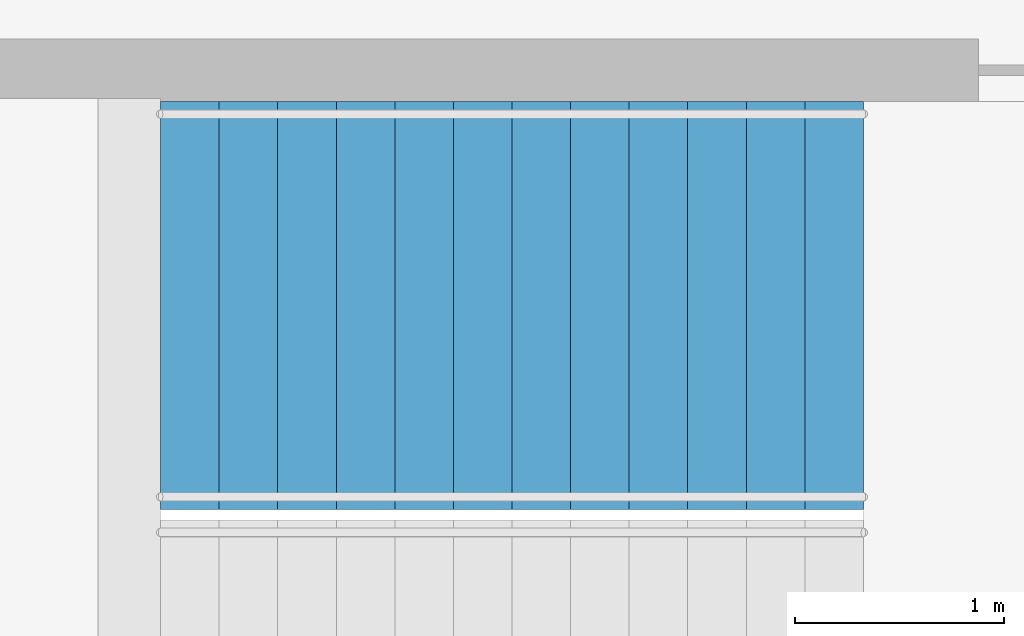
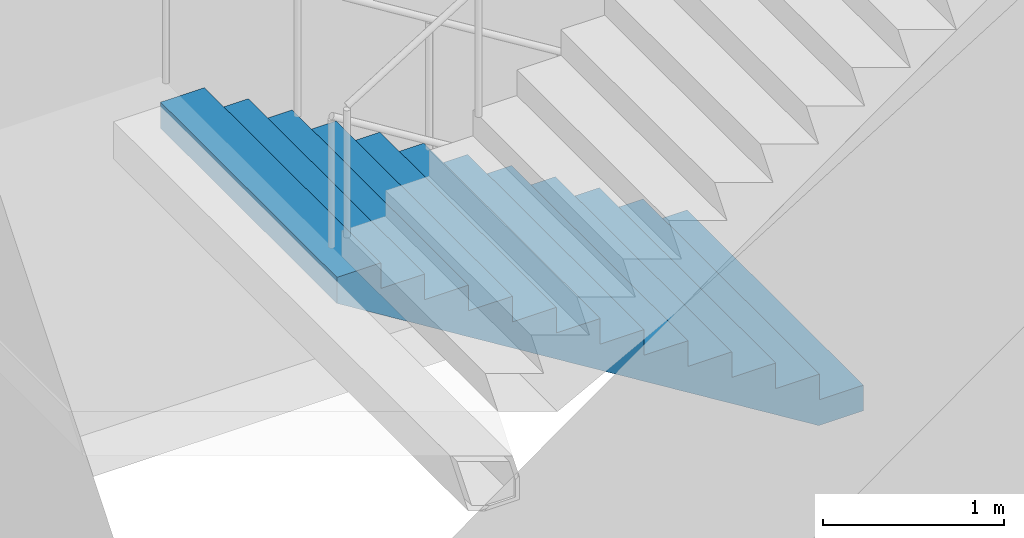
# One storey, part 11 of 16: 1 stair flight, 1 element without a shape of its own.
"""IFC4 building model written with IfcOpenShell, lengths in metres."""

from ifc_helpers import new_model, si_unit, direction, frame, origin, place, context, subcontext, project, spatial, triangles, material, type_object, element, aggregate, save


model = new_model("IFC4")

# Units and contexts
model_context = context("Model", 3, precision=1e-05, world=origin(), true_north=direction((0.0, 1.0)))
body_context = subcontext(model_context, "Body", "Model", "MODEL_VIEW")
ifc_project = project(units=[si_unit("LENGTHUNIT", "METRE"), si_unit("AREAUNIT", "SQUARE_METRE"), si_unit("VOLUMEUNIT", "CUBIC_METRE"), si_unit("PLANEANGLEUNIT", "RADIAN"), si_unit("MASSUNIT", "GRAM", prefix="KILO")], contexts=[model_context])

# Site, building, storey
site_placement = place(None, origin())
site = spatial("IfcSite", under=ifc_project, at=site_placement, CompositionType="ELEMENT")
building_placement = place(site_placement, origin())
building = spatial("IfcBuilding", under=site, at=building_placement, Name="Orbita Commons", CompositionType="ELEMENT")
storey_placement = place(building_placement, frame((0.0, 0.0, -4.5)))
storey = spatial("IfcBuildingStorey", under=building, at=storey_placement, Name="L-01", CompositionType="ELEMENT", Elevation=-4.5)

# Stair, stair flight
ifc_material_1 = material(Name="Precast concrete C40/50", Category="concrete")
stair_type = type_object("IfcStairType", Name="Exit stair S2 2 flights 13 risers 173", PredefinedType="HALF_TURN_STAIR", material=ifc_material_1)
stair_placement = place(storey_placement, origin())
stair = element("IfcStair", 1, at=stair_placement, inside=storey, type_object=stair_type, Name="Exit stair S2 L-01", PredefinedType="HALF_TURN_STAIR")
ifc_material_2 = material(Name="Precast concrete C40/50", Category="concrete")
stair_flight_type = type_object("IfcStairFlightType", Name="Stair flight 13 risers 173 x 280", PredefinedType="STRAIGHT", material=ifc_material_2)
stair_flight_placement = place(storey_placement, frame((63.550048828125, 29.27490234375, 0.0), z_axis=(0.0, 0.0, 1.0), x_axis=(-1.0, 0.0, 0.0)))
stair_flight = element("IfcStairFlight", 2, at=stair_flight_placement, type_object=stair_flight_type, Name="S2 flight 1", NumberOfRisers=13, NumberOfTreads=12, PredefinedType="STRAIGHT", RiserHeight=0.173076923, TreadLength=0.28, context=body_context, shape_type="Tessellation", body=[
    triangles([(0.0, 0.974976, 0.0), (0.0, 0.974976, 0.021635), (0.0, 0.81248, 0.021635), (0.0, 0.81248, 0.0), (0.0, 0.649984, 0.021635), (0.0, 0.649984, 0.0), (0.0, 0.487488, 0.021635), (0.0, 0.487488, 0.0), (0.0, 0.324992, 0.021635), (0.0, 0.324992, 0.0), (0.0, 0.162496, 0.021635), (0.0, 0.162496, 0.0), (0.0, 0.0, 0.021635), (0.0, 0.0, 0.0), (0.0, -0.162496, 0.021635), (0.0, -0.162496, 0.0), (0.0, -0.324992, 0.021635), (0.0, -0.324992, 0.0), (0.0, -0.487488, 0.021635), (0.0, -0.487488, 0.0), (0.0, -0.649984, 0.021635), (0.0, -0.649984, 0.0), (0.0, -0.81248, 0.021635), (0.0, -0.81248, 0.0), (0.0, -0.974976, 0.021635), (0.0, -0.974976, 0.0), (0.0, 0.974976, 0.043269), (0.0, 0.81248, 0.043269), (0.0, 0.649984, 0.043269), (0.0, 0.487488, 0.043269), (0.0, 0.324992, 0.043269), (0.0, 0.162496, 0.043269), (0.0, 0.0, 0.043269), (0.0, -0.162496, 0.043269), (0.0, -0.324992, 0.043269), (0.0, -0.487488, 0.043269), (0.0, -0.649984, 0.043269), (0.0, -0.81248, 0.043269), (0.0, -0.974976, 0.043269), (0.0, 0.974976, 0.064904), (0.0, 0.81248, 0.064904), (0.0, 0.649984, 0.064904), (0.0, 0.487488, 0.064904), (0.0, 0.324992, 0.064904), (0.0, 0.162496, 0.064904), (0.0, 0.0, 0.064904), (0.0, -0.162496, 0.064904), (0.0, -0.324992, 0.064904), (0.0, -0.487488, 0.064904), (0.0, -0.649984, 0.064904), (0.0, -0.81248, 0.064904), (0.0, -0.974976, 0.064904), (0.0, 0.974976, 0.086538), (0.0, 0.81248, 0.086538), (0.0, 0.649984, 0.086538), (0.0, 0.487488, 0.086538), (0.0, 0.324992, 0.086538), (0.0, 0.162496, 0.086538), (0.0, 0.0, 0.086538), (0.0, -0.162496, 0.086538), (0.0, -0.324992, 0.086538), (0.0, -0.487488, 0.086538), (0.0, -0.649984, 0.086538), (0.0, -0.81248, 0.086538), (0.0, -0.974976, 0.086538), (0.0, 0.974976, 0.108173), (0.0, 0.81248, 0.108173), (0.0, 0.649984, 0.108173), (0.0, 0.487488, 0.108173), (0.0, 0.324992, 0.108173), (0.0, 0.162496, 0.108173), (0.0, 0.0, 0.108173), (0.0, -0.162496, 0.108173), (0.0, -0.324992, 0.108173), (0.0, -0.487488, 0.108173), (0.0, -0.649984, 0.108173), (0.0, -0.81248, 0.108173), (0.0, -0.974976, 0.108173), (0.0, 0.974976, 0.129808), (0.0, 0.81248, 0.129808), (0.0, 0.649984, 0.129808), (0.0, 0.487488, 0.129808), (0.0, 0.324992, 0.129808), (0.0, 0.162496, 0.129808), (0.0, 0.0, 0.129808), (0.0, -0.162496, 0.129808), (0.0, -0.324992, 0.129808), (0.0, -0.487488, 0.129808), (0.0, -0.649984, 0.129808), (0.0, -0.81248, 0.129808), (0.0, -0.974976, 0.129808), (0.0, 0.974976, 0.151442), (0.0, 0.81248, 0.151442), (0.0, 0.649984, 0.151442), (0.0, 0.487488, 0.151442), (0.0, 0.324992, 0.151442), (0.0, 0.162496, 0.151442), (0.0, 0.0, 0.151442), (0.0, -0.162496, 0.151442), (0.0, -0.324992, 0.151442), (0.0, -0.487488, 0.151442), (0.0, -0.649984, 0.151442), (0.0, -0.81248, 0.151442), (0.0, -0.974976, 0.151442), (0.0, 0.974976, 0.173077), (0.0, 0.81248, 0.173077), (0.0, 0.649984, 0.173077), (0.0, 0.487488, 0.173077), (0.0, 0.324992, 0.173077), (0.0, 0.162496, 0.173077), (0.0, 0.0, 0.173077), (0.0, -0.162496, 0.173077), (0.0, -0.324992, 0.173077), (0.0, -0.487488, 0.173077), (0.0, -0.649984, 0.173077), (0.0, -0.81248, 0.173077), (0.0, -0.974976, 0.173077), (0.28, 0.974976, 0.173077), (0.28, 0.81248, 0.173077), (0.28, 0.649984, 0.173077), (0.28, 0.487488, 0.173077), (0.28, 0.324992, 0.173077), (0.28, 0.162496, 0.173077), (0.28, 0.0, 0.173077), (0.28, -0.162496, 0.173077), (0.28, -0.324992, 0.173077), (0.28, -0.487488, 0.173077), (0.28, -0.649984, 0.173077), (0.28, -0.81248, 0.173077), (0.28, -0.974976, 0.173077), (0.28, 0.974976, 0.346154), (0.28, 0.81248, 0.346154), (0.28, 0.649984, 0.346154), (0.28, 0.487488, 0.346154), (0.28, 0.324992, 0.346154), (0.28, 0.162496, 0.346154), (0.28, 0.0, 0.346154), (0.28, -0.162496, 0.346154), (0.28, -0.324992, 0.346154), (0.28, -0.487488, 0.346154), (0.28, -0.649984, 0.346154), (0.28, -0.81248, 0.346154), (0.28, -0.974976, 0.346154), (0.56, 0.974976, 0.346154), (0.56, 0.81248, 0.346154), (0.56, 0.649984, 0.346154), (0.56, 0.487488, 0.346154), (0.56, 0.324992, 0.346154), (0.56, 0.162496, 0.346154), (0.56, 0.0, 0.346154), (0.56, -0.162496, 0.346154), (0.56, -0.324992, 0.346154), (0.56, -0.487488, 0.346154), (0.56, -0.649984, 0.346154), (0.56, -0.81248, 0.346154), (0.56, -0.974976, 0.346154), (0.56, 0.974976, 0.519231), (0.56, 0.81248, 0.519231), (0.56, 0.649984, 0.519231), (0.56, 0.487488, 0.519231), (0.56, 0.324992, 0.519231), (0.56, 0.162496, 0.519231), (0.56, 0.0, 0.519231), (0.56, -0.162496, 0.519231), (0.56, -0.324992, 0.519231), (0.56, -0.487488, 0.519231), (0.56, -0.649984, 0.519231), (0.56, -0.81248, 0.519231), (0.56, -0.974976, 0.519231), (0.84, 0.974976, 0.519231), (0.84, 0.81248, 0.519231), (0.84, 0.649984, 0.519231), (0.84, 0.487488, 0.519231), (0.84, 0.324992, 0.519231), (0.84, 0.162496, 0.519231), (0.84, 0.0, 0.519231), (0.84, -0.162496, 0.519231), (0.84, -0.324992, 0.519231), (0.84, -0.487488, 0.519231), (0.84, -0.649984, 0.519231), (0.84, -0.81248, 0.519231), (0.84, -0.974976, 0.519231), (0.84, 0.974976, 0.692308), (0.84, 0.81248, 0.692308), (0.84, 0.649984, 0.692308), (0.84, 0.487488, 0.692308), (0.84, 0.324992, 0.692308), (0.84, 0.162496, 0.692308), (0.84, 0.0, 0.692308), (0.84, -0.162496, 0.692308), (0.84, -0.324992, 0.692308), (0.84, -0.487488, 0.692308), (0.84, -0.649984, 0.692308), (0.84, -0.81248, 0.692308), (0.84, -0.974976, 0.692308), (1.12, 0.974976, 0.692308), (1.12, 0.81248, 0.692308), (1.12, 0.649984, 0.692308), (1.12, 0.487488, 0.692308), (1.12, 0.324992, 0.692308), (1.12, 0.162496, 0.692308), (1.12, 0.0, 0.692308), (1.12, -0.162496, 0.692308), (1.12, -0.324992, 0.692308), (1.12, -0.487488, 0.692308), (1.12, -0.649984, 0.692308), (1.12, -0.81248, 0.692308), (1.12, -0.974976, 0.692308), (1.12, 0.974976, 0.865385), (1.12, 0.81248, 0.865385), (1.12, 0.649984, 0.865385), (1.12, 0.487488, 0.865385), (1.12, 0.324992, 0.865385), (1.12, 0.162496, 0.865385), (1.12, 0.0, 0.865385), (1.12, -0.162496, 0.865385), (1.12, -0.324992, 0.865385), (1.12, -0.487488, 0.865385), (1.12, -0.649984, 0.865385), (1.12, -0.81248, 0.865385), (1.12, -0.974976, 0.865385), (1.4, 0.974976, 0.865385), (1.4, 0.81248, 0.865385), (1.4, 0.649984, 0.865385), (1.4, 0.487488, 0.865385), (1.4, 0.324992, 0.865385), (1.4, 0.162496, 0.865385), (1.4, 0.0, 0.865385), (1.4, -0.162496, 0.865385), (1.4, -0.324992, 0.865385), (1.4, -0.487488, 0.865385), (1.4, -0.649984, 0.865385), (1.4, -0.81248, 0.865385), (1.4, -0.974976, 0.865385), (1.4, 0.974976, 1.038462), (1.4, 0.81248, 1.038462), (1.4, 0.649984, 1.038462), (1.4, 0.487488, 1.038462), (1.4, 0.324992, 1.038462), (1.4, 0.162496, 1.038462), (1.4, 0.0, 1.038462), (1.4, -0.162496, 1.038462), (1.4, -0.324992, 1.038462), (1.4, -0.487488, 1.038462), (1.4, -0.649984, 1.038462), (1.4, -0.81248, 1.038462), (1.4, -0.974976, 1.038462), (1.68, 0.974976, 1.038462), (1.68, 0.81248, 1.038462), (1.68, 0.649984, 1.038462), (1.68, 0.487488, 1.038462), (1.68, 0.324992, 1.038462), (1.68, 0.162496, 1.038462), (1.68, 0.0, 1.038462), (1.68, -0.162496, 1.038462), (1.68, -0.324992, 1.038462), (1.68, -0.487488, 1.038462), (1.68, -0.649984, 1.038462), (1.68, -0.81248, 1.038462), (1.68, -0.974976, 1.038462), (1.68, 0.974976, 1.211538), (1.68, 0.81248, 1.211538), (1.68, 0.649984, 1.211538), (1.68, 0.487488, 1.211538), (1.68, 0.324992, 1.211538), (1.68, 0.162496, 1.211538), (1.68, 0.0, 1.211538), (1.68, -0.162496, 1.211538), (1.68, -0.324992, 1.211538), (1.68, -0.487488, 1.211538), (1.68, -0.649984, 1.211538), (1.68, -0.81248, 1.211538), (1.68, -0.974976, 1.211538), (1.96, 0.974976, 1.211538), (1.96, 0.81248, 1.211538), (1.96, 0.649984, 1.211538), (1.96, 0.487488, 1.211538), (1.96, 0.324992, 1.211538), (1.96, 0.162496, 1.211538), (1.96, 0.0, 1.211538), (1.96, -0.162496, 1.211538), (1.96, -0.324992, 1.211538), (1.96, -0.487488, 1.211538), (1.96, -0.649984, 1.211538), (1.96, -0.81248, 1.211538), (1.96, -0.974976, 1.211538), (1.96, 0.974976, 1.384615), (1.96, 0.81248, 1.384615), (1.96, 0.649984, 1.384615), (1.96, 0.487488, 1.384615), (1.96, 0.324992, 1.384615), (1.96, 0.162496, 1.384615), (1.96, 0.0, 1.384615), (1.96, -0.162496, 1.384615), (1.96, -0.324992, 1.384615), (1.96, -0.487488, 1.384615), (1.96, -0.649984, 1.384615), (1.96, -0.81248, 1.384615), (1.96, -0.974976, 1.384615), (2.24, 0.974976, 1.384615), (2.24, 0.81248, 1.384615), (2.24, 0.649984, 1.384615), (2.24, 0.487488, 1.384615), (2.24, 0.324992, 1.384615), (2.24, 0.162496, 1.384615), (2.24, 0.0, 1.384615), (2.24, -0.162496, 1.384615), (2.24, -0.324992, 1.384615), (2.24, -0.487488, 1.384615), (2.24, -0.649984, 1.384615), (2.24, -0.81248, 1.384615), (2.24, -0.974976, 1.384615), (2.24, 0.974976, 1.557692), (2.24, 0.81248, 1.557692), (2.24, 0.649984, 1.557692), (2.24, 0.487488, 1.557692), (2.24, 0.324992, 1.557692), (2.24, 0.162496, 1.557692), (2.24, 0.0, 1.557692), (2.24, -0.162496, 1.557692), (2.24, -0.324992, 1.557692), (2.24, -0.487488, 1.557692), (2.24, -0.649984, 1.557692), (2.24, -0.81248, 1.557692), (2.24, -0.974976, 1.557692), (2.52, 0.974976, 1.557692), (2.52, 0.81248, 1.557692), (2.52, 0.649984, 1.557692), (2.52, 0.487488, 1.557692), (2.52, 0.324992, 1.557692), (2.52, 0.162496, 1.557692), (2.52, 0.0, 1.557692), (2.52, -0.162496, 1.557692), (2.52, -0.324992, 1.557692), (2.52, -0.487488, 1.557692), (2.52, -0.649984, 1.557692), (2.52, -0.81248, 1.557692), (2.52, -0.974976, 1.557692), (2.52, 0.974976, 1.730769), (2.52, 0.81248, 1.730769), (2.52, 0.649984, 1.730769), (2.52, 0.487488, 1.730769), (2.52, 0.324992, 1.730769), (2.52, 0.162496, 1.730769), (2.52, 0.0, 1.730769), (2.52, -0.162496, 1.730769), (2.52, -0.324992, 1.730769), (2.52, -0.487488, 1.730769), (2.52, -0.649984, 1.730769), (2.52, -0.81248, 1.730769), (2.52, -0.974976, 1.730769), (2.8, 0.974976, 1.730769), (2.8, 0.81248, 1.730769), (2.8, 0.649984, 1.730769), (2.8, 0.487488, 1.730769), (2.8, 0.324992, 1.730769), (2.8, 0.162496, 1.730769), (2.8, 0.0, 1.730769), (2.8, -0.162496, 1.730769), (2.8, -0.324992, 1.730769), (2.8, -0.487488, 1.730769), (2.8, -0.649984, 1.730769), (2.8, -0.81248, 1.730769), (2.8, -0.974976, 1.730769), (2.8, 0.974976, 1.903846), (2.8, 0.81248, 1.903846), (2.8, 0.649984, 1.903846), (2.8, 0.487488, 1.903846), (2.8, 0.324992, 1.903846), (2.8, 0.162496, 1.903846), (2.8, 0.0, 1.903846), (2.8, -0.162496, 1.903846), (2.8, -0.324992, 1.903846), (2.8, -0.487488, 1.903846), (2.8, -0.649984, 1.903846), (2.8, -0.81248, 1.903846), (2.8, -0.974976, 1.903846), (3.08, 0.974976, 1.903846), (3.08, 0.81248, 1.903846), (3.08, 0.649984, 1.903846), (3.08, 0.487488, 1.903846), (3.08, 0.324992, 1.903846), (3.08, 0.162496, 1.903846), (3.08, 0.0, 1.903846), (3.08, -0.162496, 1.903846), (3.08, -0.324992, 1.903846), (3.08, -0.487488, 1.903846), (3.08, -0.649984, 1.903846), (3.08, -0.81248, 1.903846), (3.08, -0.974976, 1.903846), (3.08, 0.974976, 2.076923), (3.08, 0.81248, 2.076923), (3.08, 0.649984, 2.076923), (3.08, 0.487488, 2.076923), (3.08, 0.324992, 2.076923), (3.08, 0.162496, 2.076923), (3.08, 0.0, 2.076923), (3.08, -0.162496, 2.076923), (3.08, -0.324992, 2.076923), (3.08, -0.487488, 2.076923), (3.08, -0.649984, 2.076923), (3.08, -0.81248, 2.076923), (3.08, -0.974976, 2.076923), (3.36, 0.974976, 2.076923), (3.36, 0.81248, 2.076923), (3.36, 0.649984, 2.076923), (3.36, 0.487488, 2.076923), (3.36, 0.324992, 2.076923), (3.36, 0.162496, 2.076923), (3.36, 0.0, 2.076923), (3.36, -0.162496, 2.076923), (3.36, -0.324992, 2.076923), (3.36, -0.487488, 2.076923), (3.36, -0.649984, 2.076923), (3.36, -0.81248, 2.076923), (3.36, -0.974976, 2.076923), (3.36, 0.974976, 2.054895), (3.36, 0.81248, 2.054895), (3.36, 0.649984, 2.054895), (3.36, 0.487488, 2.054895), (3.36, 0.324992, 2.054895), (3.36, 0.162496, 2.054895), (3.36, 0.0, 2.054895), (3.36, -0.162496, 2.054895), (3.36, -0.324992, 2.054895), (3.36, -0.487488, 2.054895), (3.36, -0.649984, 2.054895), (3.36, -0.81248, 2.054895), (3.36, -0.974976, 2.054895), (3.36, 0.974976, 2.032866), (3.36, 0.81248, 2.032866), (3.36, 0.649984, 2.032866), (3.36, 0.487488, 2.032866), (3.36, 0.324992, 2.032866), (3.36, 0.162496, 2.032866), (3.36, 0.0, 2.032866), (3.36, -0.162496, 2.032866), (3.36, -0.324992, 2.032866), (3.36, -0.487488, 2.032866), (3.36, -0.649984, 2.032866), (3.36, -0.81248, 2.032866), (3.36, -0.974976, 2.032866), (3.36, 0.974976, 2.010837), (3.36, 0.81248, 2.010837), (3.36, 0.649984, 2.010837), (3.36, 0.487488, 2.010837), (3.36, 0.324992, 2.010837), (3.36, 0.162496, 2.010837), (3.36, 0.0, 2.010837), (3.36, -0.162496, 2.010837), (3.36, -0.324992, 2.010837), (3.36, -0.487488, 2.010837), (3.36, -0.649984, 2.010837), (3.36, -0.81248, 2.010837), (3.36, -0.974976, 2.010837), (3.36, 0.974976, 1.988809), (3.36, 0.81248, 1.988809), (3.36, 0.649984, 1.988809), (3.36, 0.487488, 1.988809), (3.36, 0.324992, 1.988809), (3.36, 0.162496, 1.988809), (3.36, 0.0, 1.988809), (3.36, -0.162496, 1.988809), (3.36, -0.324992, 1.988809), (3.36, -0.487488, 1.988809), (3.36, -0.649984, 1.988809), (3.36, -0.81248, 1.988809), (3.36, -0.974976, 1.988809), (3.36, 0.974976, 1.96678), (3.36, 0.81248, 1.96678), (3.36, 0.649984, 1.96678), (3.36, 0.487488, 1.96678), (3.36, 0.324992, 1.96678), (3.36, 0.162496, 1.96678), (3.36, 0.0, 1.96678), (3.36, -0.162496, 1.96678), (3.36, -0.324992, 1.96678), (3.36, -0.487488, 1.96678), (3.36, -0.649984, 1.96678), (3.36, -0.81248, 1.96678), (3.36, -0.974976, 1.96678), (3.36, 0.974976, 1.944752), (3.36, 0.81248, 1.944752), (3.36, 0.649984, 1.944752), (3.36, 0.487488, 1.944752), (3.36, 0.324992, 1.944752), (3.36, 0.162496, 1.944752), (3.36, 0.0, 1.944752), (3.36, -0.162496, 1.944752), (3.36, -0.324992, 1.944752), (3.36, -0.487488, 1.944752), (3.36, -0.649984, 1.944752), (3.36, -0.81248, 1.944752), (3.36, -0.974976, 1.944752), (3.36, 0.974976, 1.922723), (3.36, 0.81248, 1.922723), (3.36, 0.649984, 1.922723), (3.36, 0.487488, 1.922723), (3.36, 0.324992, 1.922723), (3.36, 0.162496, 1.922723), (3.36, 0.0, 1.922723), (3.36, -0.162496, 1.922723), (3.36, -0.324992, 1.922723), (3.36, -0.487488, 1.922723), (3.36, -0.649984, 1.922723), (3.36, -0.81248, 1.922723), (3.36, -0.974976, 1.922723), (3.36, 0.974976, 1.900695), (3.36, 0.81248, 1.900695), (3.36, 0.649984, 1.900695), (3.36, 0.487488, 1.900695), (3.36, 0.324992, 1.900695), (3.36, 0.162496, 1.900695), (3.36, 0.0, 1.900695), (3.36, -0.162496, 1.900695), (3.36, -0.324992, 1.900695), (3.36, -0.487488, 1.900695), (3.36, -0.649984, 1.900695), (3.36, -0.81248, 1.900695), (3.36, -0.974976, 1.900695), (0.285099, 0.974976, 0.0), (0.285099, 0.81248, 0.0), (0.285099, 0.649984, 0.0), (0.285099, 0.487488, 0.0), (0.285099, 0.324992, 0.0), (0.285099, 0.162496, 0.0), (0.285099, 0.0, 0.0), (0.285099, -0.162496, 0.0), (0.285099, -0.324992, 0.0), (0.285099, -0.487488, 0.0), (0.285099, -0.649984, 0.0), (0.285099, -0.81248, 0.0), (0.285099, -0.974976, 0.0)], [[3, 2, 1], [4, 3, 1], [5, 3, 4], [6, 5, 4], [7, 5, 6], [8, 7, 6], [9, 7, 8], [10, 9, 8], [11, 9, 10], [12, 11, 10], [13, 11, 12], [14, 13, 12], [15, 13, 14], [16, 15, 14], [17, 15, 16], [18, 17, 16], [19, 17, 18], [20, 19, 18], [21, 19, 20], [22, 21, 20], [23, 21, 22], [24, 23, 22], [25, 23, 24], [26, 25, 24], [28, 27, 2], [3, 28, 2], [29, 28, 3], [5, 29, 3], [30, 29, 5], [7, 30, 5], [31, 30, 7], [9, 31, 7], [32, 31, 9], [11, 32, 9], [33, 32, 11], [13, 33, 11], [34, 33, 13], [15, 34, 13], [35, 34, 15], [17, 35, 15], [36, 35, 17], [19, 36, 17], [37, 36, 19], [21, 37, 19], [38, 37, 21], [23, 38, 21], [39, 38, 23], [25, 39, 23], [41, 40, 27], [28, 41, 27], [42, 41, 28], [29, 42, 28], [43, 42, 29], [30, 43, 29], [44, 43, 30], [31, 44, 30], [45, 44, 31], [32, 45, 31], [46, 45, 32], [33, 46, 32], [47, 46, 33], [34, 47, 33], [48, 47, 34], [35, 48, 34], [49, 48, 35], [36, 49, 35], [50, 49, 36], [37, 50, 36], [51, 50, 37], [38, 51, 37], [52, 51, 38], [39, 52, 38], [54, 53, 40], [41, 54, 40], [55, 54, 41], [42, 55, 41], [56, 55, 42], [43, 56, 42], [57, 56, 43], [44, 57, 43], [58, 57, 44], [45, 58, 44], [59, 58, 45], [46, 59, 45], [60, 59, 46], [47, 60, 46], [61, 60, 47], [48, 61, 47], [62, 61, 48], [49, 62, 48], [63, 62, 49], [50, 63, 49], [64, 63, 50], [51, 64, 50], [65, 64, 51], [52, 65, 51], [67, 66, 53], [54, 67, 53], [68, 67, 54], [55, 68, 54], [69, 68, 55], [56, 69, 55], [70, 69, 56], [57, 70, 56], [71, 70, 57], [58, 71, 57], [72, 71, 58], [59, 72, 58], [73, 72, 59], [60, 73, 59], [74, 73, 60], [61, 74, 60], [75, 74, 61], [62, 75, 61], [76, 75, 62], [63, 76, 62], [77, 76, 63], [64, 77, 63], [78, 77, 64], [65, 78, 64], [80, 79, 66], [67, 80, 66], [81, 80, 67], [68, 81, 67], [82, 81, 68], [69, 82, 68], [83, 82, 69], [70, 83, 69], [84, 83, 70], [71, 84, 70], [85, 84, 71], [72, 85, 71], [86, 85, 72], [73, 86, 72], [87, 86, 73], [74, 87, 73], [88, 87, 74], [75, 88, 74], [89, 88, 75], [76, 89, 75], [90, 89, 76], [77, 90, 76], [91, 90, 77], [78, 91, 77], [93, 92, 79], [80, 93, 79], [94, 93, 80], [81, 94, 80], [95, 94, 81], [82, 95, 81], [96, 95, 82], [83, 96, 82], [97, 96, 83], [84, 97, 83], [98, 97, 84], [85, 98, 84], [99, 98, 85], [86, 99, 85], [100, 99, 86], [87, 100, 86], [101, 100, 87], [88, 101, 87], [102, 101, 88], [89, 102, 88], [103, 102, 89], [90, 103, 89], [104, 103, 90], [91, 104, 90], [106, 105, 92], [93, 106, 92], [107, 106, 93], [94, 107, 93], [108, 107, 94], [95, 108, 94], [109, 108, 95], [96, 109, 95], [110, 109, 96], [97, 110, 96], [111, 110, 97], [98, 111, 97], [112, 111, 98], [99, 112, 98], [113, 112, 99], [100, 113, 99], [114, 113, 100], [101, 114, 100], [115, 114, 101], [102, 115, 101], [116, 115, 102], [103, 116, 102], [117, 116, 103], [104, 117, 103], [119, 118, 105], [106, 119, 105], [120, 119, 106], [107, 120, 106], [121, 120, 107], [108, 121, 107], [122, 121, 108], [109, 122, 108], [123, 122, 109], [110, 123, 109], [124, 123, 110], [111, 124, 110], [125, 124, 111], [112, 125, 111], [126, 125, 112], [113, 126, 112], [127, 126, 113], [114, 127, 113], [128, 127, 114], [115, 128, 114], [129, 128, 115], [116, 129, 115], [130, 129, 116], [117, 130, 116], [132, 131, 118], [119, 132, 118], [133, 132, 119], [120, 133, 119], [134, 133, 120], [121, 134, 120], [135, 134, 121], [122, 135, 121], [136, 135, 122], [123, 136, 122], [137, 136, 123], [124, 137, 123], [138, 137, 124], [125, 138, 124], [139, 138, 125], [126, 139, 125], [140, 139, 126], [127, 140, 126], [141, 140, 127], [128, 141, 127], [142, 141, 128], [129, 142, 128], [143, 142, 129], [130, 143, 129], [145, 144, 131], [132, 145, 131], [146, 145, 132], [133, 146, 132], [147, 146, 133], [134, 147, 133], [148, 147, 134], [135, 148, 134], [149, 148, 135], [136, 149, 135], [150, 149, 136], [137, 150, 136], [151, 150, 137], [138, 151, 137], [152, 151, 138], [139, 152, 138], [153, 152, 139], [140, 153, 139], [154, 153, 140], [141, 154, 140], [155, 154, 141], [142, 155, 141], [156, 155, 142], [143, 156, 142], [158, 157, 144], [145, 158, 144], [159, 158, 145], [146, 159, 145], [160, 159, 146], [147, 160, 146], [161, 160, 147], [148, 161, 147], [162, 161, 148], [149, 162, 148], [163, 162, 149], [150, 163, 149], [164, 163, 150], [151, 164, 150], [165, 164, 151], [152, 165, 151], [166, 165, 152], [153, 166, 152], [167, 166, 153], [154, 167, 153], [168, 167, 154], [155, 168, 154], [169, 168, 155], [156, 169, 155], [171, 170, 157], [158, 171, 157], [172, 171, 158], [159, 172, 158], [173, 172, 159], [160, 173, 159], [174, 173, 160], [161, 174, 160], [175, 174, 161], [162, 175, 161], [176, 175, 162], [163, 176, 162], [177, 176, 163], [164, 177, 163], [178, 177, 164], [165, 178, 164], [179, 178, 165], [166, 179, 165], [180, 179, 166], [167, 180, 166], [181, 180, 167], [168, 181, 167], [182, 181, 168], [169, 182, 168], [184, 183, 170], [171, 184, 170], [185, 184, 171], [172, 185, 171], [186, 185, 172], [173, 186, 172], [187, 186, 173], [174, 187, 173], [188, 187, 174], [175, 188, 174], [189, 188, 175], [176, 189, 175], [190, 189, 176], [177, 190, 176], [191, 190, 177], [178, 191, 177], [192, 191, 178], [179, 192, 178], [193, 192, 179], [180, 193, 179], [194, 193, 180], [181, 194, 180], [195, 194, 181], [182, 195, 181], [197, 196, 183], [184, 197, 183], [198, 197, 184], [185, 198, 184], [199, 198, 185], [186, 199, 185], [200, 199, 186], [187, 200, 186], [201, 200, 187], [188, 201, 187], [202, 201, 188], [189, 202, 188], [203, 202, 189], [190, 203, 189], [204, 203, 190], [191, 204, 190], [205, 204, 191], [192, 205, 191], [206, 205, 192], [193, 206, 192], [207, 206, 193], [194, 207, 193], [208, 207, 194], [195, 208, 194], [210, 209, 196], [197, 210, 196], [211, 210, 197], [198, 211, 197], [212, 211, 198], [199, 212, 198], [213, 212, 199], [200, 213, 199], [214, 213, 200], [201, 214, 200], [215, 214, 201], [202, 215, 201], [216, 215, 202], [203, 216, 202], [217, 216, 203], [204, 217, 203], [218, 217, 204], [205, 218, 204], [219, 218, 205], [206, 219, 205], [220, 219, 206], [207, 220, 206], [221, 220, 207], [208, 221, 207], [223, 222, 209], [210, 223, 209], [224, 223, 210], [211, 224, 210], [225, 224, 211], [212, 225, 211], [226, 225, 212], [213, 226, 212], [227, 226, 213], [214, 227, 213], [228, 227, 214], [215, 228, 214], [229, 228, 215], [216, 229, 215], [230, 229, 216], [217, 230, 216], [231, 230, 217], [218, 231, 217], [232, 231, 218], [219, 232, 218], [233, 232, 219], [220, 233, 219], [234, 233, 220], [221, 234, 220], [236, 235, 222], [223, 236, 222], [237, 236, 223], [224, 237, 223], [238, 237, 224], [225, 238, 224], [239, 238, 225], [226, 239, 225], [240, 239, 226], [227, 240, 226], [241, 240, 227], [228, 241, 227], [242, 241, 228], [229, 242, 228], [243, 242, 229], [230, 243, 229], [244, 243, 230], [231, 244, 230], [245, 244, 231], [232, 245, 231], [246, 245, 232], [233, 246, 232], [247, 246, 233], [234, 247, 233], [249, 248, 235], [236, 249, 235], [250, 249, 236], [237, 250, 236], [251, 250, 237], [238, 251, 237], [252, 251, 238], [239, 252, 238], [253, 252, 239], [240, 253, 239], [254, 253, 240], [241, 254, 240], [255, 254, 241], [242, 255, 241], [256, 255, 242], [243, 256, 242], [257, 256, 243], [244, 257, 243], [258, 257, 244], [245, 258, 244], [259, 258, 245], [246, 259, 245], [260, 259, 246], [247, 260, 246], [262, 261, 248], [249, 262, 248], [263, 262, 249], [250, 263, 249], [264, 263, 250], [251, 264, 250], [265, 264, 251], [252, 265, 251], [266, 265, 252], [253, 266, 252], [267, 266, 253], [254, 267, 253], [268, 267, 254], [255, 268, 254], [269, 268, 255], [256, 269, 255], [270, 269, 256], [257, 270, 256], [271, 270, 257], [258, 271, 257], [272, 271, 258], [259, 272, 258], [273, 272, 259], [260, 273, 259], [275, 274, 261], [262, 275, 261], [276, 275, 262], [263, 276, 262], [277, 276, 263], [264, 277, 263], [278, 277, 264], [265, 278, 264], [279, 278, 265], [266, 279, 265], [280, 279, 266], [267, 280, 266], [281, 280, 267], [268, 281, 267], [282, 281, 268], [269, 282, 268], [283, 282, 269], [270, 283, 269], [284, 283, 270], [271, 284, 270], [285, 284, 271], [272, 285, 271], [286, 285, 272], [273, 286, 272], [288, 287, 274], [275, 288, 274], [289, 288, 275], [276, 289, 275], [290, 289, 276], [277, 290, 276], [291, 290, 277], [278, 291, 277], [292, 291, 278], [279, 292, 278], [293, 292, 279], [280, 293, 279], [294, 293, 280], [281, 294, 280], [295, 294, 281], [282, 295, 281], [296, 295, 282], [283, 296, 282], [297, 296, 283], [284, 297, 283], [298, 297, 284], [285, 298, 284], [299, 298, 285], [286, 299, 285], [301, 300, 287], [288, 301, 287], [302, 301, 288], [289, 302, 288], [303, 302, 289], [290, 303, 289], [304, 303, 290], [291, 304, 290], [305, 304, 291], [292, 305, 291], [306, 305, 292], [293, 306, 292], [307, 306, 293], [294, 307, 293], [308, 307, 294], [295, 308, 294], [309, 308, 295], [296, 309, 295], [310, 309, 296], [297, 310, 296], [311, 310, 297], [298, 311, 297], [312, 311, 298], [299, 312, 298], [314, 313, 300], [301, 314, 300], [315, 314, 301], [302, 315, 301], [316, 315, 302], [303, 316, 302], [317, 316, 303], [304, 317, 303], [318, 317, 304], [305, 318, 304], [319, 318, 305], [306, 319, 305], [320, 319, 306], [307, 320, 306], [321, 320, 307], [308, 321, 307], [322, 321, 308], [309, 322, 308], [323, 322, 309], [310, 323, 309], [324, 323, 310], [311, 324, 310], [325, 324, 311], [312, 325, 311], [327, 326, 313], [314, 327, 313], [328, 327, 314], [315, 328, 314], [329, 328, 315], [316, 329, 315], [330, 329, 316], [317, 330, 316], [331, 330, 317], [318, 331, 317], [332, 331, 318], [319, 332, 318], [333, 332, 319], [320, 333, 319], [334, 333, 320], [321, 334, 320], [335, 334, 321], [322, 335, 321], [336, 335, 322], [323, 336, 322], [337, 336, 323], [324, 337, 323], [338, 337, 324], [325, 338, 324], [340, 339, 326], [327, 340, 326], [341, 340, 327], [328, 341, 327], [342, 341, 328], [329, 342, 328], [343, 342, 329], [330, 343, 329], [344, 343, 330], [331, 344, 330], [345, 344, 331], [332, 345, 331], [346, 345, 332], [333, 346, 332], [347, 346, 333], [334, 347, 333], [348, 347, 334], [335, 348, 334], [349, 348, 335], [336, 349, 335], [350, 349, 336], [337, 350, 336], [351, 350, 337], [338, 351, 337], [353, 352, 339], [340, 353, 339], [354, 353, 340], [341, 354, 340], [355, 354, 341], [342, 355, 341], [356, 355, 342], [343, 356, 342], [357, 356, 343], [344, 357, 343], [358, 357, 344], [345, 358, 344], [359, 358, 345], [346, 359, 345], [360, 359, 346], [347, 360, 346], [361, 360, 347], [348, 361, 347], [362, 361, 348], [349, 362, 348], [363, 362, 349], [350, 363, 349], [364, 363, 350], [351, 364, 350], [366, 365, 352], [353, 366, 352], [367, 366, 353], [354, 367, 353], [368, 367, 354], [355, 368, 354], [369, 368, 355], [356, 369, 355], [370, 369, 356], [357, 370, 356], [371, 370, 357], [358, 371, 357], [372, 371, 358], [359, 372, 358], [373, 372, 359], [360, 373, 359], [374, 373, 360], [361, 374, 360], [375, 374, 361], [362, 375, 361], [376, 375, 362], [363, 376, 362], [377, 376, 363], [364, 377, 363], [379, 378, 365], [366, 379, 365], [380, 379, 366], [367, 380, 366], [381, 380, 367], [368, 381, 367], [382, 381, 368], [369, 382, 368], [383, 382, 369], [370, 383, 369], [384, 383, 370], [371, 384, 370], [385, 384, 371], [372, 385, 371], [386, 385, 372], [373, 386, 372], [387, 386, 373], [374, 387, 373], [388, 387, 374], [375, 388, 374], [389, 388, 375], [376, 389, 375], [390, 389, 376], [377, 390, 376], [392, 391, 378], [379, 392, 378], [393, 392, 379], [380, 393, 379], [394, 393, 380], [381, 394, 380], [395, 394, 381], [382, 395, 381], [396, 395, 382], [383, 396, 382], [397, 396, 383], [384, 397, 383], [398, 397, 384], [385, 398, 384], [399, 398, 385], [386, 399, 385], [400, 399, 386], [387, 400, 386], [401, 400, 387], [388, 401, 387], [402, 401, 388], [389, 402, 388], [403, 402, 389], [390, 403, 389], [405, 404, 391], [392, 405, 391], [406, 405, 392], [393, 406, 392], [407, 406, 393], [394, 407, 393], [408, 407, 394], [395, 408, 394], [409, 408, 395], [396, 409, 395], [410, 409, 396], [397, 410, 396], [411, 410, 397], [398, 411, 397], [412, 411, 398], [399, 412, 398], [413, 412, 399], [400, 413, 399], [414, 413, 400], [401, 414, 400], [415, 414, 401], [402, 415, 401], [416, 415, 402], [403, 416, 402], [418, 417, 404], [405, 418, 404], [419, 418, 405], [406, 419, 405], [420, 419, 406], [407, 420, 406], [421, 420, 407], [408, 421, 407], [422, 421, 408], [409, 422, 408], [423, 422, 409], [410, 423, 409], [424, 423, 410], [411, 424, 410], [425, 424, 411], [412, 425, 411], [426, 425, 412], [413, 426, 412], [427, 426, 413], [414, 427, 413], [428, 427, 414], [415, 428, 414], [429, 428, 415], [416, 429, 415], [431, 430, 417], [418, 431, 417], [432, 431, 418], [419, 432, 418], [433, 432, 419], [420, 433, 419], [434, 433, 420], [421, 434, 420], [435, 434, 421], [422, 435, 421], [436, 435, 422], [423, 436, 422], [437, 436, 423], [424, 437, 423], [438, 437, 424], [425, 438, 424], [439, 438, 425], [426, 439, 425], [440, 439, 426], [427, 440, 426], [441, 440, 427], [428, 441, 427], [442, 441, 428], [429, 442, 428], [444, 443, 430], [431, 444, 430], [445, 444, 431], [432, 445, 431], [446, 445, 432], [433, 446, 432], [447, 446, 433], [434, 447, 433], [448, 447, 434], [435, 448, 434], [449, 448, 435], [436, 449, 435], [450, 449, 436], [437, 450, 436], [451, 450, 437], [438, 451, 437], [452, 451, 438], [439, 452, 438], [453, 452, 439], [440, 453, 439], [454, 453, 440], [441, 454, 440], [455, 454, 441], [442, 455, 441], [457, 456, 443], [444, 457, 443], [458, 457, 444], [445, 458, 444], [459, 458, 445], [446, 459, 445], [460, 459, 446], [447, 460, 446], [461, 460, 447], [448, 461, 447], [462, 461, 448], [449, 462, 448], [463, 462, 449], [450, 463, 449], [464, 463, 450], [451, 464, 450], [465, 464, 451], [452, 465, 451], [466, 465, 452], [453, 466, 452], [467, 466, 453], [454, 467, 453], [468, 467, 454], [455, 468, 454], [470, 469, 456], [457, 470, 456], [471, 470, 457], [458, 471, 457], [472, 471, 458], [459, 472, 458], [473, 472, 459], [460, 473, 459], [474, 473, 460], [461, 474, 460], [475, 474, 461], [462, 475, 461], [476, 475, 462], [463, 476, 462], [477, 476, 463], [464, 477, 463], [478, 477, 464], [465, 478, 464], [479, 478, 465], [466, 479, 465], [480, 479, 466], [467, 480, 466], [481, 480, 467], [468, 481, 467], [483, 482, 469], [470, 483, 469], [484, 483, 470], [471, 484, 470], [485, 484, 471], [472, 485, 471], [486, 485, 472], [473, 486, 472], [487, 486, 473], [474, 487, 473], [488, 487, 474], [475, 488, 474], [489, 488, 475], [476, 489, 475], [490, 489, 476], [477, 490, 476], [491, 490, 477], [478, 491, 477], [492, 491, 478], [479, 492, 478], [493, 492, 479], [480, 493, 479], [494, 493, 480], [481, 494, 480], [496, 495, 482], [483, 496, 482], [497, 496, 483], [484, 497, 483], [498, 497, 484], [485, 498, 484], [499, 498, 485], [486, 499, 485], [500, 499, 486], [487, 500, 486], [501, 500, 487], [488, 501, 487], [502, 501, 488], [489, 502, 488], [503, 502, 489], [490, 503, 489], [504, 503, 490], [491, 504, 490], [505, 504, 491], [492, 505, 491], [506, 505, 492], [493, 506, 492], [507, 506, 493], [494, 507, 493], [509, 508, 495], [496, 509, 495], [510, 509, 496], [497, 510, 496], [511, 510, 497], [498, 511, 497], [512, 511, 498], [499, 512, 498], [513, 512, 499], [500, 513, 499], [514, 513, 500], [501, 514, 500], [515, 514, 501], [502, 515, 501], [516, 515, 502], [503, 516, 502], [517, 516, 503], [504, 517, 503], [518, 517, 504], [505, 518, 504], [519, 518, 505], [506, 519, 505], [520, 519, 506], [507, 520, 506], [522, 521, 508], [509, 522, 508], [523, 522, 509], [510, 523, 509], [524, 523, 510], [511, 524, 510], [525, 524, 511], [512, 525, 511], [526, 525, 512], [513, 526, 512], [527, 526, 513], [514, 527, 513], [528, 527, 514], [515, 528, 514], [529, 528, 515], [516, 529, 515], [530, 529, 516], [517, 530, 516], [531, 530, 517], [518, 531, 517], [532, 531, 518], [519, 532, 518], [533, 532, 519], [520, 533, 519], [4, 1, 521], [522, 4, 521], [6, 4, 522], [523, 6, 522], [8, 6, 523], [524, 8, 523], [10, 8, 524], [525, 10, 524], [12, 10, 525], [526, 12, 525], [14, 12, 526], [527, 14, 526], [16, 14, 527], [528, 16, 527], [18, 16, 528], [529, 18, 528], [20, 18, 529], [530, 20, 529], [22, 20, 530], [531, 22, 530], [24, 22, 531], [532, 24, 531], [26, 24, 532], [533, 26, 532], [508, 521, 1], [26, 533, 520], [495, 508, 1], [26, 520, 507], [482, 495, 1], [26, 507, 494], [469, 482, 1], [26, 494, 481], [456, 469, 1], [26, 481, 468], [443, 456, 1], [26, 468, 455], [430, 443, 1], [26, 455, 442], [417, 430, 1], [26, 442, 429], [391, 404, 417], [429, 416, 403], [378, 391, 417], [429, 403, 390], [352, 365, 378], [390, 377, 364], [352, 378, 417], [429, 390, 364], [326, 339, 352], [364, 351, 338], [326, 352, 417], [429, 364, 338], [300, 313, 326], [338, 325, 312], [300, 326, 417], [429, 338, 312], [274, 287, 300], [312, 299, 286], [274, 300, 417], [429, 312, 286], [248, 261, 274], [286, 273, 260], [248, 274, 417], [429, 286, 260], [222, 235, 248], [260, 247, 234], [222, 248, 417], [429, 260, 234], [196, 209, 222], [234, 221, 208], [196, 222, 417], [429, 234, 208], [170, 183, 196], [208, 195, 182], [170, 196, 417], [429, 208, 182], [144, 157, 170], [182, 169, 156], [144, 170, 417], [429, 182, 156], [118, 131, 144], [156, 143, 130], [118, 144, 417], [429, 156, 130], [118, 417, 1], [26, 429, 130], [92, 105, 118], [130, 117, 104], [79, 92, 118], [130, 104, 91], [66, 79, 118], [130, 91, 78], [53, 66, 118], [130, 78, 65], [40, 53, 118], [130, 65, 52], [27, 40, 118], [130, 52, 39], [2, 27, 118], [130, 39, 25], [1, 2, 118], [130, 25, 26]], closed=True),
])
aggregate(stair, [stair_flight])

save(model, "model.ifc")
